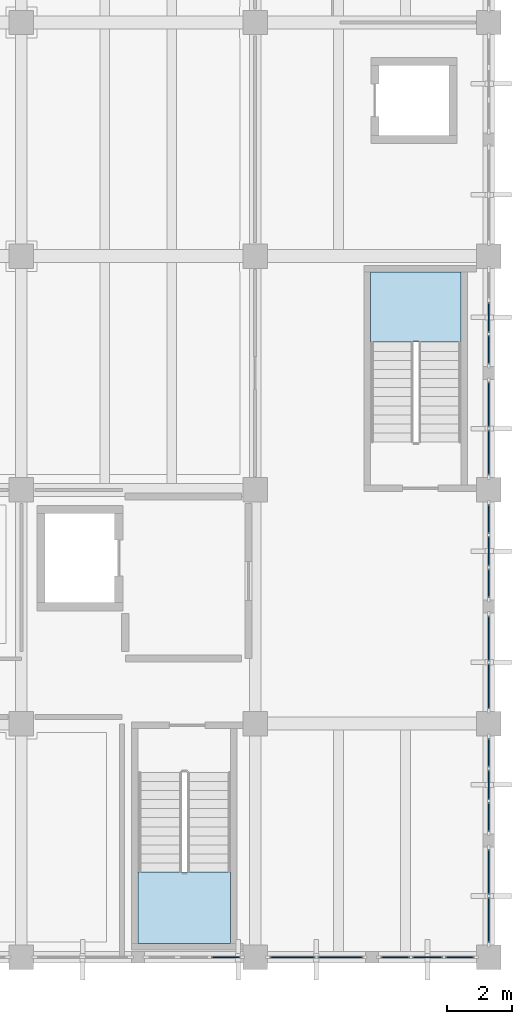
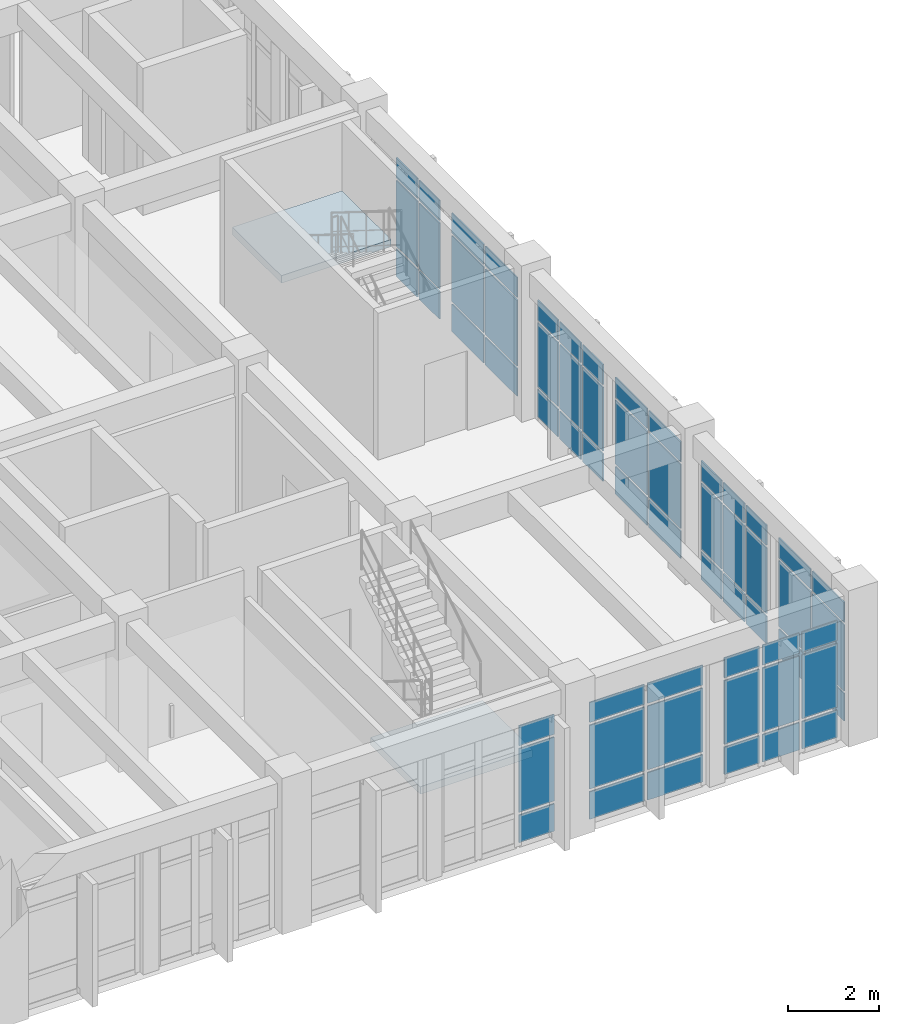
# One storey, part 88 of 136: 60 plates, 2 slabs, 11 elements without a shape of their own.
"""IFC4 building model written with IfcOpenShell, lengths in metres."""

from ifc_helpers import new_model, si_unit, direction, frame, origin, origin_2d, place, context, subcontext, project, spatial, polyline, rectangle, outline, extrude, material, layer, layer_set, type_object, element, aggregate, save


model = new_model("IFC4")

# Units and contexts
model_context = context("Model", 3, precision=1e-05, world=origin(), true_north=direction((0.0, 1.0)))
body_context = subcontext(model_context, "Body", "Model", "MODEL_VIEW")
ifc_project = project(units=[si_unit("LENGTHUNIT", "METRE"), si_unit("AREAUNIT", "SQUARE_METRE"), si_unit("VOLUMEUNIT", "CUBIC_METRE"), si_unit("PLANEANGLEUNIT", "RADIAN"), si_unit("MASSUNIT", "GRAM", prefix="KILO")], contexts=[model_context])

# Site, building, storey
site_placement = place(None, origin())
site = spatial("IfcSite", under=ifc_project, at=site_placement, CompositionType="ELEMENT")
building_placement = place(site_placement, origin())
building = spatial("IfcBuilding", under=site, at=building_placement, Name="Koriwan Promenade Central Fire Station", CompositionType="ELEMENT")
storey_placement = place(building_placement, frame((0.0, 0.0, 5.39990234375)))
storey = spatial("IfcBuildingStorey", under=building, at=storey_placement, Name="L01", CompositionType="ELEMENT", Elevation=5.39990234375)

# Curtain wall, plates
ifc_material_1 = material(Name="Aluminium EN AW-6063-T6 and low-E glazing", Category="aluminium")
ifc_layer_1 = layer(ifc_material_1, 0.159912109375, Name="Aluminium EN AW-6063-T6 and low-E glazing")
ifc_layer_set_1 = layer_set([ifc_layer_1], Name="Aluminium EN AW-6063-T6 and low-E glazing")
curtain_wall_type_1 = type_object("IfcCurtainWallType", Name="CurtainWall_61_303x329", PredefinedType="USERDEFINED", material=ifc_layer_set_1)
curtain_wall_1_placement = place(storey_placement, origin())
curtain_wall_1 = element("IfcCurtainWall", 1, at=curtain_wall_1_placement, inside=storey, type_object=curtain_wall_type_1, Name="V5 L01 unitised curtain wall 161", ObjectType="UNITISED CURTAIN WALL", PredefinedType="USERDEFINED")
ifc_material_2 = material(Name="Solar-control low-E acoustic glazing", Category="glass")
ifc_layer_2 = layer(ifc_material_2, 0.031982421875, Name="Solar-control low-E acoustic glazing")
ifc_layer_set_2 = layer_set([ifc_layer_2], Name="Solar-control low-E acoustic glazing")
plate_type = type_object("IfcPlateType", Name="CWPanel_32", PredefinedType="CURTAIN_PANEL", material=ifc_layer_set_2)
plate_1_placement = place(storey_placement, frame((171.902099609375, 0.0, 0.0751953125), z_axis=(0.0, 0.0, 1.0), x_axis=(-1.0, 0.0, 0.0)))
plate_1 = element("IfcPlate", 2, at=plate_1_placement, type_object=plate_type, Name="CW-61 panel 1.1", PredefinedType="CURTAIN_PANEL", context=body_context, shape_type="SweptSolid", body=[
    extrude(rectangle(XDim=0.895751953125, YDim=0.031982421875, at=origin_2d()), origin(), (0.0, 0.0, 1.0), 0.737548828125),
])
plate_2_placement = place(storey_placement, frame((171.902099609375, 0.0, 0.8876953125), z_axis=(0.0, 0.0, 1.0), x_axis=(-1.0, 0.0, 0.0)))
plate_2 = element("IfcPlate", 3, at=plate_2_placement, type_object=plate_type, Name="CW-61 panel 1.2", PredefinedType="CURTAIN_PANEL", context=body_context, shape_type="SweptSolid", body=[
    extrude(rectangle(XDim=0.895751953125, YDim=0.031982421875, at=origin_2d()), origin(), (0.0, 0.0, 1.0), 1.715087890625),
])
plate_3_placement = place(storey_placement, frame((171.902099609375, 0.0, 2.677490234375), z_axis=(0.0, 0.0, 1.0), x_axis=(-1.0, 0.0, 0.0)))
plate_3 = element("IfcPlate", 4, at=plate_3_placement, type_object=plate_type, Name="CW-61 panel 1.3", PredefinedType="CURTAIN_PANEL", context=body_context, shape_type="SweptSolid", body=[
    extrude(rectangle(XDim=0.895751953125, YDim=0.031982421875, at=origin_2d()), origin(), (0.0, 0.0, 1.0), 0.53759765625),
])
plate_4_placement = place(storey_placement, frame((170.91259765625, 0.0, 0.0751953125), z_axis=(0.0, 0.0, 1.0), x_axis=(-1.0, 0.0, 0.0)))
plate_4 = element("IfcPlate", 5, at=plate_4_placement, type_object=plate_type, Name="CW-61 panel 2.1", PredefinedType="CURTAIN_PANEL", context=body_context, shape_type="SweptSolid", body=[
    extrude(rectangle(XDim=0.933349609375, YDim=0.031982421875, at=origin_2d()), origin(), (0.0, 0.0, 1.0), 0.737548828125),
])
plate_5_placement = place(storey_placement, frame((170.91259765625, 0.0, 0.8876953125), z_axis=(0.0, 0.0, 1.0), x_axis=(-1.0, 0.0, 0.0)))
plate_5 = element("IfcPlate", 6, at=plate_5_placement, type_object=plate_type, Name="CW-61 panel 2.2", PredefinedType="CURTAIN_PANEL", context=body_context, shape_type="SweptSolid", body=[
    extrude(rectangle(XDim=0.933349609375, YDim=0.031982421875, at=origin_2d()), origin(), (0.0, 0.0, 1.0), 1.715087890625),
])
plate_6_placement = place(storey_placement, frame((170.91259765625, 0.0, 2.677490234375), z_axis=(0.0, 0.0, 1.0), x_axis=(-1.0, 0.0, 0.0)))
plate_6 = element("IfcPlate", 7, at=plate_6_placement, type_object=plate_type, Name="CW-61 panel 2.3", PredefinedType="CURTAIN_PANEL", context=body_context, shape_type="SweptSolid", body=[
    extrude(rectangle(XDim=0.933349609375, YDim=0.031982421875, at=origin_2d()), origin(), (0.0, 0.0, 1.0), 0.53759765625),
])
plate_7_placement = place(storey_placement, frame((169.9228515625, 0.0, 0.0751953125), z_axis=(0.0, 0.0, 1.0), x_axis=(-1.0, 0.0, 0.0)))
plate_7 = element("IfcPlate", 8, at=plate_7_placement, type_object=plate_type, Name="CW-61 panel 3.1", PredefinedType="CURTAIN_PANEL", context=body_context, shape_type="SweptSolid", body=[
    extrude(rectangle(XDim=0.895751953125, YDim=0.031982421875, at=origin_2d()), origin(), (0.0, 0.0, 1.0), 0.737548828125),
])
plate_8_placement = place(storey_placement, frame((169.9228515625, 0.0, 0.8876953125), z_axis=(0.0, 0.0, 1.0), x_axis=(-1.0, 0.0, 0.0)))
plate_8 = element("IfcPlate", 9, at=plate_8_placement, type_object=plate_type, Name="CW-61 panel 3.2", PredefinedType="CURTAIN_PANEL", context=body_context, shape_type="SweptSolid", body=[
    extrude(rectangle(XDim=0.895751953125, YDim=0.031982421875, at=origin_2d()), origin(), (0.0, 0.0, 1.0), 1.715087890625),
])
plate_9_placement = place(storey_placement, frame((169.9228515625, 0.0, 2.677490234375), z_axis=(0.0, 0.0, 1.0), x_axis=(-1.0, 0.0, 0.0)))
plate_9 = element("IfcPlate", 10, at=plate_9_placement, type_object=plate_type, Name="CW-61 panel 3.3", PredefinedType="CURTAIN_PANEL", context=body_context, shape_type="SweptSolid", body=[
    extrude(rectangle(XDim=0.895751953125, YDim=0.031982421875, at=origin_2d()), origin(), (0.0, 0.0, 1.0), 0.53759765625),
])
aggregate(curtain_wall_1, [plate_1, plate_2, plate_3, plate_4, plate_5, plate_6, plate_7, plate_8, plate_9])

ifc_layer_3 = layer(ifc_material_1, 0.159912109375, Name="Aluminium EN AW-6063-T6 and low-E glazing")
ifc_layer_set_3 = layer_set([ifc_layer_3], Name="Aluminium EN AW-6063-T6 and low-E glazing")
curtain_wall_type_2 = type_object("IfcCurtainWallType", Name="CurtainWall_08_303x329", PredefinedType="USERDEFINED", material=ifc_layer_set_3)
curtain_wall_2_placement = place(storey_placement, origin())
curtain_wall_2 = element("IfcCurtainWall", 11, at=curtain_wall_2_placement, inside=storey, type_object=curtain_wall_type_2, Name="V5 L01 unitised curtain wall 162", ObjectType="UNITISED CURTAIN WALL", PredefinedType="USERDEFINED")
plate_10_placement = place(storey_placement, frame((168.22509765625, 0.0, 0.0751953125), z_axis=(0.0, 0.0, 1.0), x_axis=(-1.0, 0.0, 0.0)))
plate_10 = element("IfcPlate", 12, at=plate_10_placement, type_object=plate_type, Name="CW-08 panel 1.1", PredefinedType="CURTAIN_PANEL", context=body_context, shape_type="SweptSolid", body=[
    extrude(rectangle(XDim=1.39990234375, YDim=0.031982421875, at=origin_2d()), origin(), (0.0, 0.0, 1.0), 0.737548828125),
])
plate_11_placement = place(storey_placement, frame((168.22509765625, 0.0, 0.8876953125), z_axis=(0.0, 0.0, 1.0), x_axis=(-1.0, 0.0, 0.0)))
plate_11 = element("IfcPlate", 13, at=plate_11_placement, type_object=plate_type, Name="CW-08 panel 1.2", PredefinedType="CURTAIN_PANEL", context=body_context, shape_type="SweptSolid", body=[
    extrude(rectangle(XDim=1.39990234375, YDim=0.031982421875, at=origin_2d()), origin(), (0.0, 0.0, 1.0), 1.715087890625),
])
plate_12_placement = place(storey_placement, frame((168.22509765625, 0.0, 2.677490234375), z_axis=(0.0, 0.0, 1.0), x_axis=(-1.0, 0.0, 0.0)))
plate_12 = element("IfcPlate", 14, at=plate_12_placement, type_object=plate_type, Name="CW-08 panel 1.3", PredefinedType="CURTAIN_PANEL", context=body_context, shape_type="SweptSolid", body=[
    extrude(rectangle(XDim=1.39990234375, YDim=0.031982421875, at=origin_2d()), origin(), (0.0, 0.0, 1.0), 0.53759765625),
])
plate_13_placement = place(storey_placement, frame((166.75, 0.0, 0.0751953125), z_axis=(0.0, 0.0, 1.0), x_axis=(-1.0, 0.0, 0.0)))
plate_13 = element("IfcPlate", 15, at=plate_13_placement, type_object=plate_type, Name="CW-08 panel 2.1", PredefinedType="CURTAIN_PANEL", context=body_context, shape_type="SweptSolid", body=[
    extrude(rectangle(XDim=1.39990234375, YDim=0.031982421875, at=origin_2d()), origin(), (0.0, 0.0, 1.0), 0.737548828125),
])
plate_14_placement = place(storey_placement, frame((166.75, 0.0, 0.8876953125), z_axis=(0.0, 0.0, 1.0), x_axis=(-1.0, 0.0, 0.0)))
plate_14 = element("IfcPlate", 16, at=plate_14_placement, type_object=plate_type, Name="CW-08 panel 2.2", PredefinedType="CURTAIN_PANEL", context=body_context, shape_type="SweptSolid", body=[
    extrude(rectangle(XDim=1.39990234375, YDim=0.031982421875, at=origin_2d()), origin(), (0.0, 0.0, 1.0), 1.715087890625),
])
plate_15_placement = place(storey_placement, frame((166.75, 0.0, 2.677490234375), z_axis=(0.0, 0.0, 1.0), x_axis=(-1.0, 0.0, 0.0)))
plate_15 = element("IfcPlate", 17, at=plate_15_placement, type_object=plate_type, Name="CW-08 panel 2.3", PredefinedType="CURTAIN_PANEL", context=body_context, shape_type="SweptSolid", body=[
    extrude(rectangle(XDim=1.39990234375, YDim=0.031982421875, at=origin_2d()), origin(), (0.0, 0.0, 1.0), 0.53759765625),
])
aggregate(curtain_wall_2, [plate_10, plate_11, plate_12, plate_13, plate_14, plate_15])

curtain_wall_3_placement = place(storey_placement, origin())
curtain_wall_3 = element("IfcCurtainWall", 18, at=curtain_wall_3_placement, inside=storey, type_object=curtain_wall_type_1, Name="V5 L01 unitised curtain wall 163", ObjectType="UNITISED CURTAIN WALL", PredefinedType="USERDEFINED")
plate_16_placement = place(storey_placement, frame((164.7021484375, 0.0, 0.0751953125), z_axis=(0.0, 0.0, 1.0), x_axis=(-1.0, 0.0, 0.0)))
plate_16 = element("IfcPlate", 19, at=plate_16_placement, type_object=plate_type, Name="CW-61 panel 1.1", PredefinedType="CURTAIN_PANEL", context=body_context, shape_type="SweptSolid", body=[
    extrude(rectangle(XDim=0.895751953125, YDim=0.031982421875, at=origin_2d()), origin(), (0.0, 0.0, 1.0), 0.737548828125),
])
plate_17_placement = place(storey_placement, frame((164.7021484375, 0.0, 0.8876953125), z_axis=(0.0, 0.0, 1.0), x_axis=(-1.0, 0.0, 0.0)))
plate_17 = element("IfcPlate", 20, at=plate_17_placement, type_object=plate_type, Name="CW-61 panel 1.2", PredefinedType="CURTAIN_PANEL", context=body_context, shape_type="SweptSolid", body=[
    extrude(rectangle(XDim=0.895751953125, YDim=0.031982421875, at=origin_2d()), origin(), (0.0, 0.0, 1.0), 1.715087890625),
])
plate_18_placement = place(storey_placement, frame((164.7021484375, 0.0, 2.677490234375), z_axis=(0.0, 0.0, 1.0), x_axis=(-1.0, 0.0, 0.0)))
plate_18 = element("IfcPlate", 21, at=plate_18_placement, type_object=plate_type, Name="CW-61 panel 1.3", PredefinedType="CURTAIN_PANEL", context=body_context, shape_type="SweptSolid", body=[
    extrude(rectangle(XDim=0.895751953125, YDim=0.031982421875, at=origin_2d()), origin(), (0.0, 0.0, 1.0), 0.53759765625),
])
aggregate(curtain_wall_3, [plate_16, plate_17, plate_18])

ifc_layer_4 = layer(ifc_material_1, 0.159912109375, Name="Aluminium EN AW-6063-T6 and low-E glazing")
ifc_layer_set_4 = layer_set([ifc_layer_4], Name="Aluminium EN AW-6063-T6 and low-E glazing")
curtain_wall_type_3 = type_object("IfcCurtainWallType", Name="CurtainWall_67_303x334", PredefinedType="USERDEFINED", material=ifc_layer_set_4)
curtain_wall_4_placement = place(storey_placement, origin())
curtain_wall_4 = element("IfcCurtainWall", 22, at=curtain_wall_4_placement, inside=storey, type_object=curtain_wall_type_3, Name="V5 L01 unitised curtain wall 203", ObjectType="UNITISED CURTAIN WALL", PredefinedType="USERDEFINED")
plate_19_placement = place(storey_placement, frame((172.800048828125, 19.71240234375, 0.0751953125), z_axis=(0.0, 0.0, 1.0), x_axis=(0.0, -1.0, 0.0)))
plate_19 = element("IfcPlate", 23, at=plate_19_placement, type_object=plate_type, Name="CW-67 panel 2.1", PredefinedType="CURTAIN_PANEL", context=body_context, shape_type="SweptSolid", body=[
    extrude(rectangle(XDim=0.933349609375, YDim=0.031982421875, at=origin_2d()), origin(), (0.0, 0.0, 1.0), 0.737548828125),
])
plate_20_placement = place(storey_placement, frame((172.800048828125, 19.71240234375, 0.8876953125), z_axis=(0.0, 0.0, 1.0), x_axis=(0.0, -1.0, 0.0)))
plate_20 = element("IfcPlate", 24, at=plate_20_placement, type_object=plate_type, Name="CW-67 panel 2.2", PredefinedType="CURTAIN_PANEL", context=body_context, shape_type="SweptSolid", body=[
    extrude(rectangle(XDim=0.933349609375, YDim=0.031982421875, at=origin_2d()), origin(), (0.0, 0.0, 1.0), 1.764892578125),
])
plate_21_placement = place(storey_placement, frame((172.800048828125, 19.71240234375, 2.7275390625), z_axis=(0.0, 0.0, 1.0), x_axis=(0.0, -1.0, 0.0)))
plate_21 = element("IfcPlate", 25, at=plate_21_placement, type_object=plate_type, Name="CW-67 panel 2.3", PredefinedType="CURTAIN_PANEL", context=body_context, shape_type="SweptSolid", body=[
    extrude(rectangle(XDim=0.933349609375, YDim=0.031982421875, at=origin_2d()), origin(), (0.0, 0.0, 1.0), 0.53759765625),
])
plate_22_placement = place(storey_placement, frame((172.800048828125, 18.722900390625, 0.0751953125), z_axis=(0.0, 0.0, 1.0), x_axis=(0.0, -1.0, 0.0)))
plate_22 = element("IfcPlate", 26, at=plate_22_placement, type_object=plate_type, Name="CW-67 panel 3.1", PredefinedType="CURTAIN_PANEL", context=body_context, shape_type="SweptSolid", body=[
    extrude(rectangle(XDim=0.895751953125, YDim=0.031982421875, at=origin_2d()), origin(), (0.0, 0.0, 1.0), 0.737548828125),
])
plate_23_placement = place(storey_placement, frame((172.800048828125, 18.722900390625, 0.8876953125), z_axis=(0.0, 0.0, 1.0), x_axis=(0.0, -1.0, 0.0)))
plate_23 = element("IfcPlate", 27, at=plate_23_placement, type_object=plate_type, Name="CW-67 panel 3.2", PredefinedType="CURTAIN_PANEL", context=body_context, shape_type="SweptSolid", body=[
    extrude(rectangle(XDim=0.895751953125, YDim=0.031982421875, at=origin_2d()), origin(), (0.0, 0.0, 1.0), 1.764892578125),
])
plate_24_placement = place(storey_placement, frame((172.800048828125, 18.722900390625, 2.7275390625), z_axis=(0.0, 0.0, 1.0), x_axis=(0.0, -1.0, 0.0)))
plate_24 = element("IfcPlate", 28, at=plate_24_placement, type_object=plate_type, Name="CW-67 panel 3.3", PredefinedType="CURTAIN_PANEL", context=body_context, shape_type="SweptSolid", body=[
    extrude(rectangle(XDim=0.895751953125, YDim=0.031982421875, at=origin_2d()), origin(), (0.0, 0.0, 1.0), 0.53759765625),
])
aggregate(curtain_wall_4, [plate_19, plate_20, plate_21, plate_22, plate_23, plate_24])

ifc_layer_5 = layer(ifc_material_1, 0.159912109375, Name="Aluminium EN AW-6063-T6 and low-E glazing")
ifc_layer_set_5 = layer_set([ifc_layer_5], Name="Aluminium EN AW-6063-T6 and low-E glazing")
curtain_wall_type_4 = type_object("IfcCurtainWallType", Name="CurtainWall_64_303x334", PredefinedType="USERDEFINED", material=ifc_layer_set_5)
curtain_wall_5_placement = place(storey_placement, origin())
curtain_wall_5 = element("IfcCurtainWall", 29, at=curtain_wall_5_placement, inside=storey, type_object=curtain_wall_type_4, Name="V5 L01 unitised curtain wall 204", ObjectType="UNITISED CURTAIN WALL", PredefinedType="USERDEFINED")
plate_25_placement = place(storey_placement, frame((172.800048828125, 17.02490234375, 0.0751953125), z_axis=(0.0, 0.0, 1.0), x_axis=(0.0, -1.0, 0.0)))
plate_25 = element("IfcPlate", 30, at=plate_25_placement, type_object=plate_type, Name="CW-64 panel 1.1", PredefinedType="CURTAIN_PANEL", context=body_context, shape_type="SweptSolid", body=[
    extrude(rectangle(XDim=1.39990234375, YDim=0.031982421875, at=origin_2d()), origin(), (0.0, 0.0, 1.0), 0.737548828125),
])
plate_26_placement = place(storey_placement, frame((172.800048828125, 17.02490234375, 0.8876953125), z_axis=(0.0, 0.0, 1.0), x_axis=(0.0, -1.0, 0.0)))
plate_26 = element("IfcPlate", 31, at=plate_26_placement, type_object=plate_type, Name="CW-64 panel 1.2", PredefinedType="CURTAIN_PANEL", context=body_context, shape_type="SweptSolid", body=[
    extrude(rectangle(XDim=1.39990234375, YDim=0.031982421875, at=origin_2d()), origin(), (0.0, 0.0, 1.0), 1.764892578125),
])
plate_27_placement = place(storey_placement, frame((172.800048828125, 17.02490234375, 2.7275390625), z_axis=(0.0, 0.0, 1.0), x_axis=(0.0, -1.0, 0.0)))
plate_27 = element("IfcPlate", 32, at=plate_27_placement, type_object=plate_type, Name="CW-64 panel 1.3", PredefinedType="CURTAIN_PANEL", context=body_context, shape_type="SweptSolid", body=[
    extrude(rectangle(XDim=1.39990234375, YDim=0.031982421875, at=origin_2d()), origin(), (0.0, 0.0, 1.0), 0.53759765625),
])
plate_28_placement = place(storey_placement, frame((172.800048828125, 15.550048828125, 0.0751953125), z_axis=(0.0, 0.0, 1.0), x_axis=(0.0, -1.0, 0.0)))
plate_28 = element("IfcPlate", 33, at=plate_28_placement, type_object=plate_type, Name="CW-64 panel 2.1", PredefinedType="CURTAIN_PANEL", context=body_context, shape_type="SweptSolid", body=[
    extrude(rectangle(XDim=1.39990234375, YDim=0.031982421875, at=origin_2d()), origin(), (0.0, 0.0, 1.0), 0.737548828125),
])
plate_29_placement = place(storey_placement, frame((172.800048828125, 15.550048828125, 0.8876953125), z_axis=(0.0, 0.0, 1.0), x_axis=(0.0, -1.0, 0.0)))
plate_29 = element("IfcPlate", 34, at=plate_29_placement, type_object=plate_type, Name="CW-64 panel 2.2", PredefinedType="CURTAIN_PANEL", context=body_context, shape_type="SweptSolid", body=[
    extrude(rectangle(XDim=1.39990234375, YDim=0.031982421875, at=origin_2d()), origin(), (0.0, 0.0, 1.0), 1.764892578125),
])
plate_30_placement = place(storey_placement, frame((172.800048828125, 15.550048828125, 2.7275390625), z_axis=(0.0, 0.0, 1.0), x_axis=(0.0, -1.0, 0.0)))
plate_30 = element("IfcPlate", 35, at=plate_30_placement, type_object=plate_type, Name="CW-64 panel 2.3", PredefinedType="CURTAIN_PANEL", context=body_context, shape_type="SweptSolid", body=[
    extrude(rectangle(XDim=1.39990234375, YDim=0.031982421875, at=origin_2d()), origin(), (0.0, 0.0, 1.0), 0.53759765625),
])
aggregate(curtain_wall_5, [plate_25, plate_26, plate_27, plate_28, plate_29, plate_30])

curtain_wall_6_placement = place(storey_placement, origin())
curtain_wall_6 = element("IfcCurtainWall", 36, at=curtain_wall_6_placement, inside=storey, type_object=curtain_wall_type_1, Name="V5 L01 unitised curtain wall 205", ObjectType="UNITISED CURTAIN WALL", PredefinedType="USERDEFINED")
plate_31_placement = place(storey_placement, frame((172.800048828125, 13.502197265625, 0.0751953125), z_axis=(0.0, 0.0, 1.0), x_axis=(0.0, -1.0, 0.0)))
plate_31 = element("IfcPlate", 37, at=plate_31_placement, type_object=plate_type, Name="CW-61 panel 1.1", PredefinedType="CURTAIN_PANEL", context=body_context, shape_type="SweptSolid", body=[
    extrude(rectangle(XDim=0.895751953125, YDim=0.031982421875, at=origin_2d()), origin(), (0.0, 0.0, 1.0), 0.737548828125),
])
plate_32_placement = place(storey_placement, frame((172.800048828125, 13.502197265625, 0.8876953125), z_axis=(0.0, 0.0, 1.0), x_axis=(0.0, -1.0, 0.0)))
plate_32 = element("IfcPlate", 38, at=plate_32_placement, type_object=plate_type, Name="CW-61 panel 1.2", PredefinedType="CURTAIN_PANEL", context=body_context, shape_type="SweptSolid", body=[
    extrude(rectangle(XDim=0.895751953125, YDim=0.031982421875, at=origin_2d()), origin(), (0.0, 0.0, 1.0), 1.715087890625),
])
plate_33_placement = place(storey_placement, frame((172.800048828125, 13.502197265625, 2.677490234375), z_axis=(0.0, 0.0, 1.0), x_axis=(0.0, -1.0, 0.0)))
plate_33 = element("IfcPlate", 39, at=plate_33_placement, type_object=plate_type, Name="CW-61 panel 1.3", PredefinedType="CURTAIN_PANEL", context=body_context, shape_type="SweptSolid", body=[
    extrude(rectangle(XDim=0.895751953125, YDim=0.031982421875, at=origin_2d()), origin(), (0.0, 0.0, 1.0), 0.53759765625),
])
plate_34_placement = place(storey_placement, frame((172.800048828125, 12.512451171875, 0.0751953125), z_axis=(0.0, 0.0, 1.0), x_axis=(0.0, -1.0, 0.0)))
plate_34 = element("IfcPlate", 40, at=plate_34_placement, type_object=plate_type, Name="CW-61 panel 2.1", PredefinedType="CURTAIN_PANEL", context=body_context, shape_type="SweptSolid", body=[
    extrude(rectangle(XDim=0.933349609375, YDim=0.031982421875, at=origin_2d()), origin(), (0.0, 0.0, 1.0), 0.737548828125),
])
plate_35_placement = place(storey_placement, frame((172.800048828125, 12.512451171875, 0.8876953125), z_axis=(0.0, 0.0, 1.0), x_axis=(0.0, -1.0, 0.0)))
plate_35 = element("IfcPlate", 41, at=plate_35_placement, type_object=plate_type, Name="CW-61 panel 2.2", PredefinedType="CURTAIN_PANEL", context=body_context, shape_type="SweptSolid", body=[
    extrude(rectangle(XDim=0.933349609375, YDim=0.031982421875, at=origin_2d()), origin(), (0.0, 0.0, 1.0), 1.715087890625),
])
plate_36_placement = place(storey_placement, frame((172.800048828125, 12.512451171875, 2.677490234375), z_axis=(0.0, 0.0, 1.0), x_axis=(0.0, -1.0, 0.0)))
plate_36 = element("IfcPlate", 42, at=plate_36_placement, type_object=plate_type, Name="CW-61 panel 2.3", PredefinedType="CURTAIN_PANEL", context=body_context, shape_type="SweptSolid", body=[
    extrude(rectangle(XDim=0.933349609375, YDim=0.031982421875, at=origin_2d()), origin(), (0.0, 0.0, 1.0), 0.53759765625),
])
plate_37_placement = place(storey_placement, frame((172.800048828125, 11.52294921875, 0.0751953125), z_axis=(0.0, 0.0, 1.0), x_axis=(0.0, -1.0, 0.0)))
plate_37 = element("IfcPlate", 43, at=plate_37_placement, type_object=plate_type, Name="CW-61 panel 3.1", PredefinedType="CURTAIN_PANEL", context=body_context, shape_type="SweptSolid", body=[
    extrude(rectangle(XDim=0.895751953125, YDim=0.031982421875, at=origin_2d()), origin(), (0.0, 0.0, 1.0), 0.737548828125),
])
plate_38_placement = place(storey_placement, frame((172.800048828125, 11.52294921875, 0.8876953125), z_axis=(0.0, 0.0, 1.0), x_axis=(0.0, -1.0, 0.0)))
plate_38 = element("IfcPlate", 44, at=plate_38_placement, type_object=plate_type, Name="CW-61 panel 3.2", PredefinedType="CURTAIN_PANEL", context=body_context, shape_type="SweptSolid", body=[
    extrude(rectangle(XDim=0.895751953125, YDim=0.031982421875, at=origin_2d()), origin(), (0.0, 0.0, 1.0), 1.715087890625),
])
plate_39_placement = place(storey_placement, frame((172.800048828125, 11.52294921875, 2.677490234375), z_axis=(0.0, 0.0, 1.0), x_axis=(0.0, -1.0, 0.0)))
plate_39 = element("IfcPlate", 45, at=plate_39_placement, type_object=plate_type, Name="CW-61 panel 3.3", PredefinedType="CURTAIN_PANEL", context=body_context, shape_type="SweptSolid", body=[
    extrude(rectangle(XDim=0.895751953125, YDim=0.031982421875, at=origin_2d()), origin(), (0.0, 0.0, 1.0), 0.53759765625),
])
aggregate(curtain_wall_6, [plate_31, plate_32, plate_33, plate_34, plate_35, plate_36, plate_37, plate_38, plate_39])

ifc_layer_6 = layer(ifc_material_1, 0.159912109375, Name="Aluminium EN AW-6063-T6 and low-E glazing")
ifc_layer_set_6 = layer_set([ifc_layer_6], Name="Aluminium EN AW-6063-T6 and low-E glazing")
curtain_wall_type_5 = type_object("IfcCurtainWallType", Name="CurtainWall_07_302x329", PredefinedType="USERDEFINED", material=ifc_layer_set_6)
curtain_wall_7_placement = place(storey_placement, origin())
curtain_wall_7 = element("IfcCurtainWall", 46, at=curtain_wall_7_placement, inside=storey, type_object=curtain_wall_type_5, Name="V5 L01 unitised curtain wall 206", ObjectType="UNITISED CURTAIN WALL", PredefinedType="USERDEFINED")
plate_40_placement = place(storey_placement, frame((172.800048828125, 9.824951171875, 0.0751953125), z_axis=(0.0, 0.0, 1.0), x_axis=(0.0, -1.0, 0.0)))
plate_40 = element("IfcPlate", 47, at=plate_40_placement, type_object=plate_type, Name="CW-07 panel 1.1", PredefinedType="CURTAIN_PANEL", context=body_context, shape_type="SweptSolid", body=[
    extrude(rectangle(XDim=1.39990234375, YDim=0.031982421875, at=origin_2d()), origin(), (0.0, 0.0, 1.0), 0.737548828125),
])
plate_41_placement = place(storey_placement, frame((172.800048828125, 9.824951171875, 0.8876953125), z_axis=(0.0, 0.0, 1.0), x_axis=(0.0, -1.0, 0.0)))
plate_41 = element("IfcPlate", 48, at=plate_41_placement, type_object=plate_type, Name="CW-07 panel 1.2", PredefinedType="CURTAIN_PANEL", context=body_context, shape_type="SweptSolid", body=[
    extrude(rectangle(XDim=1.39990234375, YDim=0.031982421875, at=origin_2d()), origin(), (0.0, 0.0, 1.0), 1.715087890625),
])
plate_42_placement = place(storey_placement, frame((172.800048828125, 9.824951171875, 2.677490234375), z_axis=(0.0, 0.0, 1.0), x_axis=(0.0, -1.0, 0.0)))
plate_42 = element("IfcPlate", 49, at=plate_42_placement, type_object=plate_type, Name="CW-07 panel 1.3", PredefinedType="CURTAIN_PANEL", context=body_context, shape_type="SweptSolid", body=[
    extrude(rectangle(XDim=1.39990234375, YDim=0.031982421875, at=origin_2d()), origin(), (0.0, 0.0, 1.0), 0.53759765625),
])
plate_43_placement = place(storey_placement, frame((172.800048828125, 8.35009765625, 0.0751953125), z_axis=(0.0, 0.0, 1.0), x_axis=(0.0, -1.0, 0.0)))
plate_43 = element("IfcPlate", 50, at=plate_43_placement, type_object=plate_type, Name="CW-07 panel 2.1", PredefinedType="CURTAIN_PANEL", context=body_context, shape_type="SweptSolid", body=[
    extrude(rectangle(XDim=1.39990234375, YDim=0.031982421875, at=origin_2d()), origin(), (0.0, 0.0, 1.0), 0.737548828125),
])
plate_44_placement = place(storey_placement, frame((172.800048828125, 8.35009765625, 0.8876953125), z_axis=(0.0, 0.0, 1.0), x_axis=(0.0, -1.0, 0.0)))
plate_44 = element("IfcPlate", 51, at=plate_44_placement, type_object=plate_type, Name="CW-07 panel 2.2", PredefinedType="CURTAIN_PANEL", context=body_context, shape_type="SweptSolid", body=[
    extrude(rectangle(XDim=1.39990234375, YDim=0.031982421875, at=origin_2d()), origin(), (0.0, 0.0, 1.0), 1.715087890625),
])
plate_45_placement = place(storey_placement, frame((172.800048828125, 8.35009765625, 2.677490234375), z_axis=(0.0, 0.0, 1.0), x_axis=(0.0, -1.0, 0.0)))
plate_45 = element("IfcPlate", 52, at=plate_45_placement, type_object=plate_type, Name="CW-07 panel 2.3", PredefinedType="CURTAIN_PANEL", context=body_context, shape_type="SweptSolid", body=[
    extrude(rectangle(XDim=1.39990234375, YDim=0.031982421875, at=origin_2d()), origin(), (0.0, 0.0, 1.0), 0.53759765625),
])
aggregate(curtain_wall_7, [plate_40, plate_41, plate_42, plate_43, plate_44, plate_45])

curtain_wall_8_placement = place(storey_placement, origin())
curtain_wall_8 = element("IfcCurtainWall", 53, at=curtain_wall_8_placement, inside=storey, type_object=curtain_wall_type_3, Name="V5 L01 unitised curtain wall 207", ObjectType="UNITISED CURTAIN WALL", PredefinedType="USERDEFINED")
plate_46_placement = place(storey_placement, frame((172.800048828125, 6.302001953125, 0.0751953125), z_axis=(0.0, 0.0, 1.0), x_axis=(0.0, -1.0, 0.0)))
plate_46 = element("IfcPlate", 54, at=plate_46_placement, type_object=plate_type, Name="CW-67 panel 1.1", PredefinedType="CURTAIN_PANEL", context=body_context, shape_type="SweptSolid", body=[
    extrude(rectangle(XDim=0.895751953125, YDim=0.031982421875, at=origin_2d()), origin(), (0.0, 0.0, 1.0), 0.737548828125),
])
plate_47_placement = place(storey_placement, frame((172.800048828125, 6.302001953125, 0.8876953125), z_axis=(0.0, 0.0, 1.0), x_axis=(0.0, -1.0, 0.0)))
plate_47 = element("IfcPlate", 55, at=plate_47_placement, type_object=plate_type, Name="CW-67 panel 1.2", PredefinedType="CURTAIN_PANEL", context=body_context, shape_type="SweptSolid", body=[
    extrude(rectangle(XDim=0.895751953125, YDim=0.031982421875, at=origin_2d()), origin(), (0.0, 0.0, 1.0), 1.764892578125),
])
plate_48_placement = place(storey_placement, frame((172.800048828125, 6.302001953125, 2.7275390625), z_axis=(0.0, 0.0, 1.0), x_axis=(0.0, -1.0, 0.0)))
plate_48 = element("IfcPlate", 56, at=plate_48_placement, type_object=plate_type, Name="CW-67 panel 1.3", PredefinedType="CURTAIN_PANEL", context=body_context, shape_type="SweptSolid", body=[
    extrude(rectangle(XDim=0.895751953125, YDim=0.031982421875, at=origin_2d()), origin(), (0.0, 0.0, 1.0), 0.53759765625),
])
plate_49_placement = place(storey_placement, frame((172.800048828125, 5.3125, 0.0751953125), z_axis=(0.0, 0.0, 1.0), x_axis=(0.0, -1.0, 0.0)))
plate_49 = element("IfcPlate", 57, at=plate_49_placement, type_object=plate_type, Name="CW-67 panel 2.1", PredefinedType="CURTAIN_PANEL", context=body_context, shape_type="SweptSolid", body=[
    extrude(rectangle(XDim=0.933349609375, YDim=0.031982421875, at=origin_2d()), origin(), (0.0, 0.0, 1.0), 0.737548828125),
])
plate_50_placement = place(storey_placement, frame((172.800048828125, 5.3125, 0.8876953125), z_axis=(0.0, 0.0, 1.0), x_axis=(0.0, -1.0, 0.0)))
plate_50 = element("IfcPlate", 58, at=plate_50_placement, type_object=plate_type, Name="CW-67 panel 2.2", PredefinedType="CURTAIN_PANEL", context=body_context, shape_type="SweptSolid", body=[
    extrude(rectangle(XDim=0.933349609375, YDim=0.031982421875, at=origin_2d()), origin(), (0.0, 0.0, 1.0), 1.764892578125),
])
plate_51_placement = place(storey_placement, frame((172.800048828125, 5.3125, 2.7275390625), z_axis=(0.0, 0.0, 1.0), x_axis=(0.0, -1.0, 0.0)))
plate_51 = element("IfcPlate", 59, at=plate_51_placement, type_object=plate_type, Name="CW-67 panel 2.3", PredefinedType="CURTAIN_PANEL", context=body_context, shape_type="SweptSolid", body=[
    extrude(rectangle(XDim=0.933349609375, YDim=0.031982421875, at=origin_2d()), origin(), (0.0, 0.0, 1.0), 0.53759765625),
])
plate_52_placement = place(storey_placement, frame((172.800048828125, 4.322998046875, 0.0751953125), z_axis=(0.0, 0.0, 1.0), x_axis=(0.0, -1.0, 0.0)))
plate_52 = element("IfcPlate", 60, at=plate_52_placement, type_object=plate_type, Name="CW-67 panel 3.1", PredefinedType="CURTAIN_PANEL", context=body_context, shape_type="SweptSolid", body=[
    extrude(rectangle(XDim=0.895751953125, YDim=0.031982421875, at=origin_2d()), origin(), (0.0, 0.0, 1.0), 0.737548828125),
])
plate_53_placement = place(storey_placement, frame((172.800048828125, 4.322998046875, 0.8876953125), z_axis=(0.0, 0.0, 1.0), x_axis=(0.0, -1.0, 0.0)))
plate_53 = element("IfcPlate", 61, at=plate_53_placement, type_object=plate_type, Name="CW-67 panel 3.2", PredefinedType="CURTAIN_PANEL", context=body_context, shape_type="SweptSolid", body=[
    extrude(rectangle(XDim=0.895751953125, YDim=0.031982421875, at=origin_2d()), origin(), (0.0, 0.0, 1.0), 1.764892578125),
])
plate_54_placement = place(storey_placement, frame((172.800048828125, 4.322998046875, 2.7275390625), z_axis=(0.0, 0.0, 1.0), x_axis=(0.0, -1.0, 0.0)))
plate_54 = element("IfcPlate", 62, at=plate_54_placement, type_object=plate_type, Name="CW-67 panel 3.3", PredefinedType="CURTAIN_PANEL", context=body_context, shape_type="SweptSolid", body=[
    extrude(rectangle(XDim=0.895751953125, YDim=0.031982421875, at=origin_2d()), origin(), (0.0, 0.0, 1.0), 0.53759765625),
])
aggregate(curtain_wall_8, [plate_46, plate_47, plate_48, plate_49, plate_50, plate_51, plate_52, plate_53, plate_54])

ifc_layer_7 = layer(ifc_material_1, 0.159912109375, Name="Aluminium EN AW-6063-T6 and low-E glazing")
ifc_layer_set_7 = layer_set([ifc_layer_7], Name="Aluminium EN AW-6063-T6 and low-E glazing")
curtain_wall_type_6 = type_object("IfcCurtainWallType", Name="CurtainWall_68_302x334", PredefinedType="USERDEFINED", material=ifc_layer_set_7)
curtain_wall_9_placement = place(storey_placement, origin())
curtain_wall_9 = element("IfcCurtainWall", 63, at=curtain_wall_9_placement, inside=storey, type_object=curtain_wall_type_6, Name="V5 L01 unitised curtain wall 208", ObjectType="UNITISED CURTAIN WALL", PredefinedType="USERDEFINED")
plate_55_placement = place(storey_placement, frame((172.800048828125, 2.625, 0.0751953125), z_axis=(0.0, 0.0, 1.0), x_axis=(0.0, -1.0, 0.0)))
plate_55 = element("IfcPlate", 64, at=plate_55_placement, type_object=plate_type, Name="CW-68 panel 1.1", PredefinedType="CURTAIN_PANEL", context=body_context, shape_type="SweptSolid", body=[
    extrude(rectangle(XDim=1.39990234375, YDim=0.031982421875, at=origin_2d()), origin(), (0.0, 0.0, 1.0), 0.737548828125),
])
plate_56_placement = place(storey_placement, frame((172.800048828125, 2.625, 0.8876953125), z_axis=(0.0, 0.0, 1.0), x_axis=(0.0, -1.0, 0.0)))
plate_56 = element("IfcPlate", 65, at=plate_56_placement, type_object=plate_type, Name="CW-68 panel 1.2", PredefinedType="CURTAIN_PANEL", context=body_context, shape_type="SweptSolid", body=[
    extrude(rectangle(XDim=1.39990234375, YDim=0.031982421875, at=origin_2d()), origin(), (0.0, 0.0, 1.0), 1.764892578125),
])
plate_57_placement = place(storey_placement, frame((172.800048828125, 2.625, 2.7275390625), z_axis=(0.0, 0.0, 1.0), x_axis=(0.0, -1.0, 0.0)))
plate_57 = element("IfcPlate", 66, at=plate_57_placement, type_object=plate_type, Name="CW-68 panel 1.3", PredefinedType="CURTAIN_PANEL", context=body_context, shape_type="SweptSolid", body=[
    extrude(rectangle(XDim=1.39990234375, YDim=0.031982421875, at=origin_2d()), origin(), (0.0, 0.0, 1.0), 0.53759765625),
])
plate_58_placement = place(storey_placement, frame((172.800048828125, 1.14990234375, 0.0751953125), z_axis=(0.0, 0.0, 1.0), x_axis=(0.0, -1.0, 0.0)))
plate_58 = element("IfcPlate", 67, at=plate_58_placement, type_object=plate_type, Name="CW-68 panel 2.1", PredefinedType="CURTAIN_PANEL", context=body_context, shape_type="SweptSolid", body=[
    extrude(rectangle(XDim=1.39990234375, YDim=0.031982421875, at=origin_2d()), origin(), (0.0, 0.0, 1.0), 0.737548828125),
])
plate_59_placement = place(storey_placement, frame((172.800048828125, 1.14990234375, 0.8876953125), z_axis=(0.0, 0.0, 1.0), x_axis=(0.0, -1.0, 0.0)))
plate_59 = element("IfcPlate", 68, at=plate_59_placement, type_object=plate_type, Name="CW-68 panel 2.2", PredefinedType="CURTAIN_PANEL", context=body_context, shape_type="SweptSolid", body=[
    extrude(rectangle(XDim=1.39990234375, YDim=0.031982421875, at=origin_2d()), origin(), (0.0, 0.0, 1.0), 1.764892578125),
])
plate_60_placement = place(storey_placement, frame((172.800048828125, 1.14990234375, 2.7275390625), z_axis=(0.0, 0.0, 1.0), x_axis=(0.0, -1.0, 0.0)))
plate_60 = element("IfcPlate", 69, at=plate_60_placement, type_object=plate_type, Name="CW-68 panel 2.3", PredefinedType="CURTAIN_PANEL", context=body_context, shape_type="SweptSolid", body=[
    extrude(rectangle(XDim=1.39990234375, YDim=0.031982421875, at=origin_2d()), origin(), (0.0, 0.0, 1.0), 0.53759765625),
])
aggregate(curtain_wall_9, [plate_55, plate_56, plate_57, plate_58, plate_59, plate_60])

# Stair, slab
ifc_material_3 = material(Name="Concrete C35/45", Category="concrete")
stair_type_1 = type_object("IfcStairType", Name="Stair_HALF_24R_1350", PredefinedType="HALF_TURN_STAIR", material=ifc_material_3)
stair_1_placement = place(storey_placement, origin())
stair_1 = element("IfcStair", 70, at=stair_1_placement, inside=storey, type_object=stair_type_1, Name="L01 Protected Stair ST22", PredefinedType="HALF_TURN_STAIR")
ifc_layer_8 = layer(ifc_material_3, 0.199951171875, Name="Concrete C35/45")
ifc_layer_set_8 = layer_set([ifc_layer_8], Name="Concrete C35/45")
slab_type = type_object("IfcSlabType", Name="StairLanding_200", PredefinedType="LANDING", material=ifc_layer_set_8)
slab_1_placement = place(storey_placement, frame((0.0, 0.0, 1.900146484375)))
slab_1 = element("IfcSlab", 71, at=slab_1_placement, type_object=slab_type, Name="ST22 landing 1", PredefinedType="LANDING", context=body_context, shape_type="SweptSolid", body=[
    extrude(outline(polyline([(162.0, 2.6201171875), (162.0, 0.429931640625), (164.85009765625, 0.429931640625), (164.85009765625, 2.6201171875), (162.0, 2.6201171875)])), origin(), (0.0, 0.0, 1.0), 0.199951171875),
])
aggregate(stair_1, [slab_1])

stair_type_2 = type_object("IfcStairType", Name="Stair_HALF_24R_1320", PredefinedType="HALF_TURN_STAIR", material=ifc_material_3)
stair_2_placement = place(storey_placement, origin())
stair_2 = element("IfcStair", 72, at=stair_2_placement, inside=storey, type_object=stair_type_2, Name="L01 Protected Stair ST27", PredefinedType="HALF_TURN_STAIR")
slab_2_placement = place(storey_placement, frame((0.0, 0.0, 1.900146484375)))
slab_2 = element("IfcSlab", 73, at=slab_2_placement, type_object=slab_type, Name="ST27 landing 1", PredefinedType="LANDING", context=body_context, shape_type="SweptSolid", body=[
    extrude(outline(polyline([(171.949951171875, 18.949951171875), (171.949951171875, 21.110107421875), (169.159912109375, 21.110107421875), (169.159912109375, 18.949951171875), (171.949951171875, 18.949951171875)])), origin(), (0.0, 0.0, 1.0), 0.199951171875),
])
aggregate(stair_2, [slab_2])

save(model, "model.ifc")
